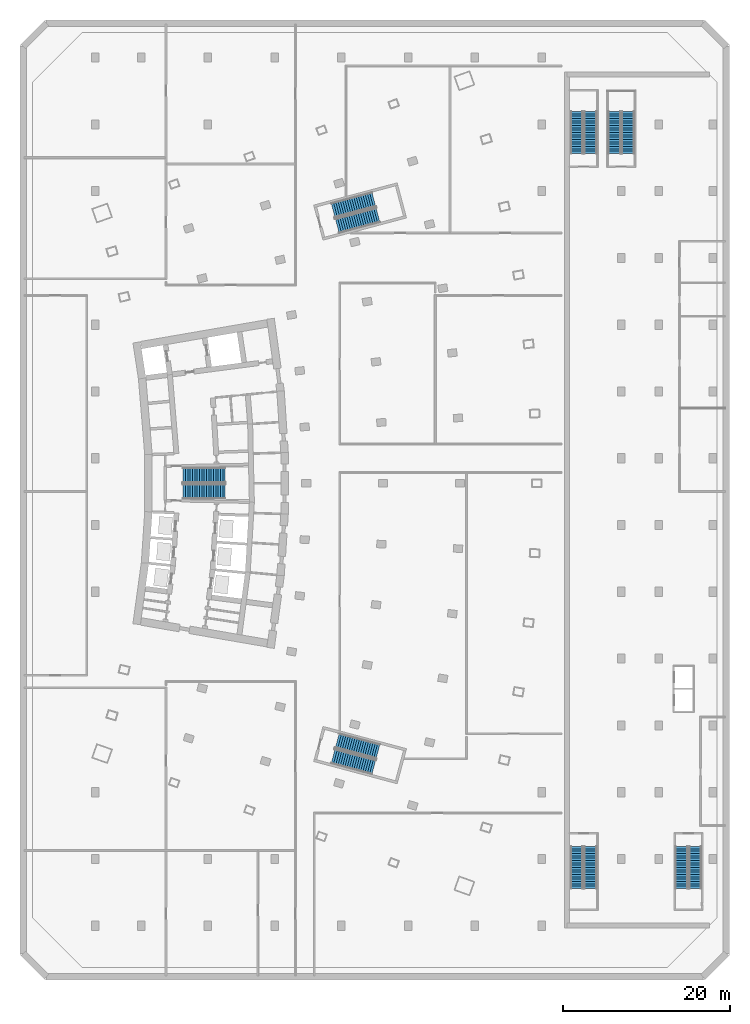
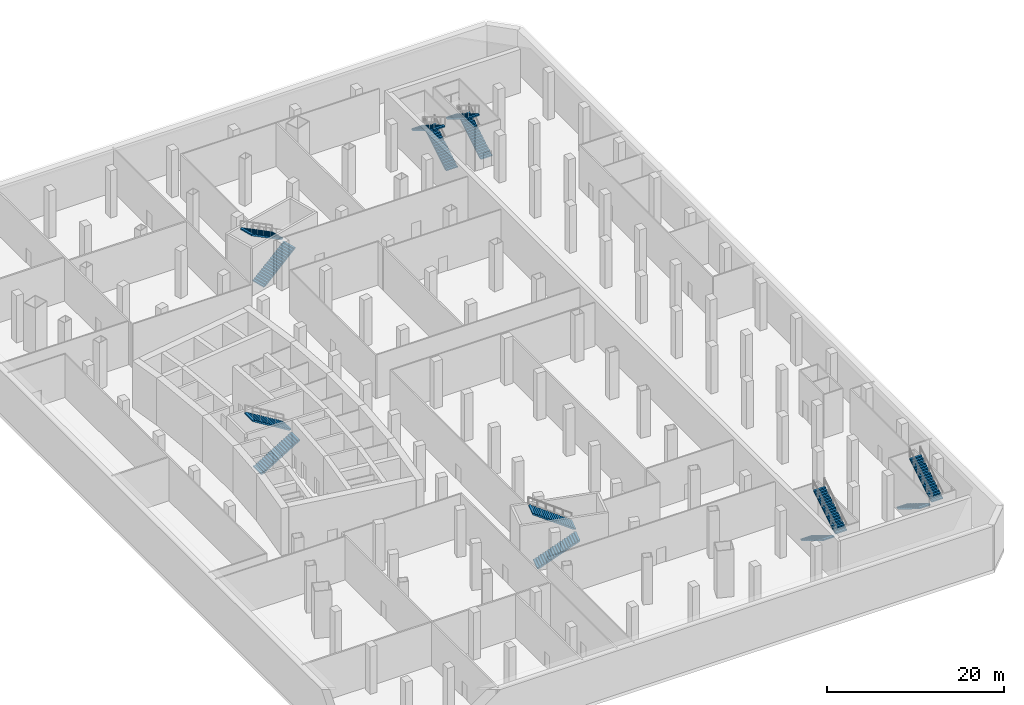
# One storey, part 11 of 16: 14 stair flights, 7 elements without a shape of their own.
"""IFC4 building model written with IfcOpenShell, lengths in metres."""

import ifcopenshell
import ifcopenshell.guid

model = None  # the IFC model being written
_history = None  # IfcOwnerHistory: only IFC2X3 demands one
_inside = {}  # id of a spatial element -> (the spatial element, [elements in it])
_under = {}  # id of a project, library or spatial element -> (it, [spatial elements below it])
_declared = {}  # id of a project -> (the project, [libraries it declares])
_typed = {}  # id of a type object -> (the type object, [elements of that type])
_made_of = {}  # id of a material, layer set ... -> (it, [elements and type objects made of it])


def new_model(schema):
    """Start an empty IFC model of exactly this schema.

    Asked for "IFC4X3", IfcOpenShell would pick the latest addendum, in which some entities
    have other attributes; the version numbers below select the first issue.
    IFC2X3 requires an IfcOwnerHistory on every rooted entity: one is made here for all.
    """
    global model, _history
    if schema == "IFC4X3":
        model = ifcopenshell.file(schema_version=(4, 3, 0, 0))
    else:
        model = ifcopenshell.file(schema=schema)
    _inside.clear()
    _under.clear()
    _declared.clear()
    _typed.clear()
    _made_of.clear()
    _history = None
    if model.schema == "IFC2X3":
        org = make("IfcOrganization", Name="unknown")
        user = make(
            "IfcPersonAndOrganization",
            ThePerson=make("IfcPerson", FamilyName="unknown"),
            TheOrganization=org,
        )
        app = make(
            "IfcApplication",
            ApplicationDeveloper=org,
            Version="unknown",
            ApplicationFullName="unknown",
            ApplicationIdentifier="unknown",
        )
        _history = make(
            "IfcOwnerHistory",
            OwningUser=user,
            OwningApplication=app,
            ChangeAction="ADDED",
            CreationDate=0,
        )
    return model


def make(cls, **values):
    """One entity of the class cls with the attributes given. An attribute that is None is left unset."""
    return model.create_entity(
        cls, **{name: value for name, value in values.items() if value is not None}
    )


def rooted(cls, **values):
    """An entity with a GlobalId (a new one), such as an element, a storey or a relation."""
    return make(cls, GlobalId=ifcopenshell.guid.new(), OwnerHistory=_history, **values)


def si_unit(unit_type, name, prefix=None):
    """IfcSIUnit, for example si_unit("LENGTHUNIT", "METRE", prefix="MILLI")."""
    return make("IfcSIUnit", UnitType=unit_type, Prefix=prefix, Name=name)


def assignment(units):
    """IfcUnitAssignment: the units of a project."""
    return None if units is None else make("IfcUnitAssignment", Units=units)


def point(xyz):
    """IfcCartesianPoint."""
    return None if xyz is None else make("IfcCartesianPoint", Coordinates=xyz)


def direction(xyz):
    """IfcDirection."""
    return None if xyz is None else make("IfcDirection", DirectionRatios=xyz)


def frame(location, z_axis=None, x_axis=None):
    """IfcAxis2Placement3D, a coordinate frame: its origin and axes. An axis left out is left unset."""
    return make(
        "IfcAxis2Placement3D",
        Location=point(location),
        Axis=direction(z_axis),
        RefDirection=direction(x_axis),
    )


def origin():
    """The frame at (0, 0, 0) with its axes left unset."""
    return frame((0.0, 0.0, 0.0))


def place(relative_to, where):
    """IfcLocalPlacement: puts the frame where relative to a parent placement (None: the world)."""
    return make(
        "IfcLocalPlacement", PlacementRelTo=relative_to, RelativePlacement=where
    )


def context(
    kind, dimensions, precision=None, world=None, true_north=None, identifier=None
):
    """IfcGeometricRepresentationContext, for example the 3D "Model" context."""
    return make(
        "IfcGeometricRepresentationContext",
        ContextIdentifier=identifier,
        ContextType=kind,
        CoordinateSpaceDimension=dimensions,
        Precision=precision,
        WorldCoordinateSystem=world,
        TrueNorth=true_north,
    )


def subcontext(parent, identifier, kind, view, scale=None):
    """IfcGeometricRepresentationSubContext, for example "Body" below "Model"."""
    return make(
        "IfcGeometricRepresentationSubContext",
        ContextIdentifier=identifier,
        ContextType=kind,
        ParentContext=parent,
        TargetScale=scale,
        TargetView=view,
    )


def project(units=None, contexts=None):
    """IfcProject with its units and contexts."""
    return rooted(
        "IfcProject",
        Name="project",
        RepresentationContexts=contexts,
        UnitsInContext=assignment(units),
    )


def spatial(cls, under=None, at=None, **own):
    """A site, building, storey or space (cls), placed at a placement, below another one or the project."""
    s = rooted(cls, ObjectPlacement=at, **own)
    if under is not None:
        _under.setdefault(under.id(), (under, []))[1].append(s)
    return s


def polyline(points):
    """IfcPolyline through the points."""
    return make("IfcPolyline", Points=[point(p) for p in points])


def outline(outer, holes=None, kind="AREA"):
    """IfcArbitraryClosedProfileDef: a profile drawn as a closed curve; with holes, ...WithVoids."""
    if holes is None:
        return make("IfcArbitraryClosedProfileDef", ProfileType=kind, OuterCurve=outer)
    return make(
        "IfcArbitraryProfileDefWithVoids",
        ProfileType=kind,
        OuterCurve=outer,
        InnerCurves=holes,
    )


def extrude(swept, where, along, depth):
    """IfcExtrudedAreaSolid: the profile swept, set in the frame where, extruded along a direction by depth."""
    return make(
        "IfcExtrudedAreaSolid",
        SweptArea=swept,
        Position=where,
        ExtrudedDirection=direction(along),
        Depth=depth,
    )


def shape(context_of_items, identifier, shape_type, items):
    """IfcShapeRepresentation: the items that make up one representation, for example the "Body"."""
    return make(
        "IfcShapeRepresentation",
        ContextOfItems=context_of_items,
        RepresentationIdentifier=identifier,
        RepresentationType=shape_type,
        Items=items,
    )


def material(Name=None, Category=None):
    """IfcMaterial."""
    return make("IfcMaterial", Name=Name, Category=Category)


def layer(
    of_material, thickness, ventilated=None, Name=None, Category=None, Priority=None
):
    """IfcMaterialLayer: one layer of a wall or slab, of a material (None: an air gap)."""
    return make(
        "IfcMaterialLayer",
        Material=of_material,
        LayerThickness=thickness,
        IsVentilated=ventilated,
        Name=Name,
        Category=Category,
        Priority=Priority,
    )


def layer_set(layers, Name=None):
    """IfcMaterialLayerSet."""
    return make("IfcMaterialLayerSet", MaterialLayers=layers, LayerSetName=Name)


def made_of(thing, what):
    """Note that an element or type object is made of a material, layer set ...; save() writes the relation."""
    if what is not None:
        _made_of.setdefault(what.id(), (what, []))[1].append(thing)
    return thing


def type_object(cls, material=None, **own):
    """A type object (cls), such as IfcWallType, which elements share."""
    return made_of(rooted(cls, **own), material)


def element(
    cls,
    number,
    at=None,
    inside=None,
    cuts=None,
    type_object=None,
    material=None,
    context=None,
    identifier="Body",
    shape_type=None,
    held_by="IfcProductDefinitionShape",
    body=None,
    shapes=None,
    **own,
):
    """One element of the class cls, such as IfcWall. Its Tag is "e" and its number.

    at: its placement. inside: the storey or other place that contains it. cuts: it is an
    opening in that element (IfcRelVoidsElement). A single representation is given by context,
    identifier, shape_type and body (its items); several are given by shapes. held_by: the class
    of the entity that holds the representations. save() writes the other relations.
    """
    e = rooted(cls, Tag="e%d" % number, ObjectPlacement=at, **own)
    if body is not None:
        shapes = [shape(context, identifier, shape_type, body)]
    if shapes is not None:
        e.Representation = make(held_by, Representations=shapes)
    if inside is not None:
        _inside.setdefault(inside.id(), (inside, []))[1].append(e)
    if cuts is not None:
        rooted(
            "IfcRelVoidsElement", RelatingBuildingElement=cuts, RelatedOpeningElement=e
        )
    if type_object is not None:
        _typed.setdefault(type_object.id(), (type_object, []))[1].append(e)
    return made_of(e, material)


def aggregate(whole, parts):
    """IfcRelAggregates: a whole, such as a stair, and the parts it consists of."""
    return rooted("IfcRelAggregates", RelatingObject=whole, RelatedObjects=parts)


def save(model, path):
    """Write the relations noted so far, then the file.

    IfcRelAggregates (storeys below a building ...), IfcRelContainedInSpatialStructure (elements
    in a storey), IfcRelDefinesByType, IfcRelAssociatesMaterial and IfcRelDeclares: one each for
    every whole, place, type object, material and project.
    """
    for whole, parts in _under.values():
        aggregate(whole, parts)
    for where, things in _inside.values():
        rooted(
            "IfcRelContainedInSpatialStructure",
            RelatedElements=things,
            RelatingStructure=where,
        )
    for kind, things in _typed.values():
        rooted("IfcRelDefinesByType", RelatedObjects=things, RelatingType=kind)
    for what, things in _made_of.values():
        rooted("IfcRelAssociatesMaterial", RelatedObjects=things, RelatingMaterial=what)
    for by, libraries in _declared.values():
        rooted("IfcRelDeclares", RelatingContext=by, RelatedDefinitions=libraries)
    model.write(path)


model = new_model("IFC4")

# Units and contexts
model_context = context("Model", 3, precision=1e-05, world=origin(), true_north=direction((0.0, 1.0)))
body_context = subcontext(model_context, "Body", "Model", "MODEL_VIEW")
ifc_project = project(units=[si_unit("LENGTHUNIT", "METRE"), si_unit("AREAUNIT", "SQUARE_METRE"), si_unit("VOLUMEUNIT", "CUBIC_METRE"), si_unit("PLANEANGLEUNIT", "RADIAN"), si_unit("MASSUNIT", "GRAM", prefix="KILO")], contexts=[model_context])

# Site, building, storey
site_placement = place(None, origin())
site = spatial("IfcSite", under=ifc_project, at=site_placement, CompositionType="ELEMENT")
building_placement = place(site_placement, origin())
building = spatial("IfcBuilding", under=site, at=building_placement, Name="Alderwake Tower", CompositionType="ELEMENT")
storey_placement = place(building_placement, frame((0.0, 0.0, -6.5)))
storey = spatial("IfcBuildingStorey", under=building, at=storey_placement, Name="B1", CompositionType="ELEMENT", Elevation=-6.5)

# Stair, stair flights
ifc_material_1 = material(Name="Concrete C40/50", Category="concrete")
stair_type_1 = type_object("IfcStairType", Name="Core exit stair", PredefinedType="HALF_TURN_STAIR", material=ifc_material_1)
stair_1_placement = place(storey_placement, origin())
stair_1 = element("IfcStair", 1, at=stair_1_placement, inside=storey, type_object=stair_type_1, Name="B1 Exit Stair B", PredefinedType="HALF_TURN_STAIR")
ifc_material_2 = material(Name="Concrete C40/50", Category="concrete")
ifc_layer = layer(ifc_material_2, 0.14990234375)
ifc_layer_set = layer_set([ifc_layer], Name="Core stair flight")
stair_flight_type = type_object("IfcStairFlightType", Name="Core stair flight", PredefinedType="STRAIGHT", material=ifc_layer_set)
stair_flight_1_placement = place(storey_placement, frame((21.0400390625, 60.02490234375, 0.0), z_axis=(0.0, 0.0, 1.0), x_axis=(1.0, 0.0, 0.0)))
stair_flight_1 = element("IfcStairFlight", 2, at=stair_flight_1_placement, type_object=stair_flight_type, Name="ST-B flight 1", NumberOfRisers=19, NumberOfTreads=18, PredefinedType="STRAIGHT", RiserHeight=0.171052632, TreadLength=0.28, context=body_context, shape_type="SweptSolid", body=[
    extrude(outline(polyline([(0.0, 0.0), (0.0, 0.171142578125), (0.280029296875, 0.171142578125), (0.280029296875, 0.342041015625), (0.56005859375, 0.342041015625), (0.56005859375, 0.51318359375), (0.840087890625, 0.51318359375), (0.840087890625, 0.684326171875), (1.1201171875, 0.684326171875), (1.1201171875, 0.855224609375), (1.39990234375, 0.855224609375), (1.39990234375, 1.0263671875), (1.679931640625, 1.0263671875), (1.679931640625, 1.197265625), (1.9599609375, 1.197265625), (1.9599609375, 1.368408203125), (2.239990234375, 1.368408203125), (2.239990234375, 1.53955078125), (2.52001953125, 1.53955078125), (2.52001953125, 1.71044921875), (2.800048828125, 1.71044921875), (2.800048828125, 1.881591796875), (3.080078125, 1.881591796875), (3.080078125, 2.052734375), (3.360107421875, 2.052734375), (3.360107421875, 2.2236328125), (3.639892578125, 2.2236328125), (3.639892578125, 2.394775390625), (3.919921875, 2.394775390625), (3.919921875, 2.565673828125), (4.199951171875, 2.565673828125), (4.199951171875, 2.73681640625), (4.47998046875, 2.73681640625), (4.47998046875, 2.907958984375), (4.760009765625, 2.907958984375), (4.760009765625, 3.078857421875), (5.0400390625, 3.078857421875), (5.0400390625, 3.25), (5.0400390625, 2.9033203125), (0.28759765625, 0.0), (0.0, 0.0)])), frame((0.0, 0.89990234375, 0.0), z_axis=(0.0, -1.0, 0.0), x_axis=(1.0, 0.0, 0.0)), (0.0, 0.0, 1.0), 1.800048828125),
])
stair_flight_2_placement = place(storey_placement, frame((26.080078125, 61.97509765625, 3.25), z_axis=(0.0, 0.0, 1.0), x_axis=(-1.0, 0.0, 0.0)))
stair_flight_2 = element("IfcStairFlight", 3, at=stair_flight_2_placement, type_object=stair_flight_type, Name="ST-B flight 2", NumberOfRisers=19, NumberOfTreads=18, PredefinedType="STRAIGHT", RiserHeight=0.171052632, TreadLength=0.28, context=body_context, shape_type="SweptSolid", body=[
    extrude(outline(polyline([(0.0, 0.0), (0.0, 0.171142578125), (0.280029296875, 0.171142578125), (0.280029296875, 0.342041015625), (0.56005859375, 0.342041015625), (0.56005859375, 0.51318359375), (0.840087890625, 0.51318359375), (0.840087890625, 0.684326171875), (1.1201171875, 0.684326171875), (1.1201171875, 0.855224609375), (1.39990234375, 0.855224609375), (1.39990234375, 1.0263671875), (1.679931640625, 1.0263671875), (1.679931640625, 1.197265625), (1.9599609375, 1.197265625), (1.9599609375, 1.368408203125), (2.239990234375, 1.368408203125), (2.239990234375, 1.53955078125), (2.52001953125, 1.53955078125), (2.52001953125, 1.71044921875), (2.800048828125, 1.71044921875), (2.800048828125, 1.881591796875), (3.080078125, 1.881591796875), (3.080078125, 2.052734375), (3.360107421875, 2.052734375), (3.360107421875, 2.2236328125), (3.639892578125, 2.2236328125), (3.639892578125, 2.394775390625), (3.919921875, 2.394775390625), (3.919921875, 2.565673828125), (4.199951171875, 2.565673828125), (4.199951171875, 2.73681640625), (4.47998046875, 2.73681640625), (4.47998046875, 2.907958984375), (4.760009765625, 2.907958984375), (4.760009765625, 3.078857421875), (5.0400390625, 3.078857421875), (5.0400390625, 3.25), (5.0400390625, 2.9033203125), (0.28759765625, 0.0), (0.0, 0.0)])), frame((0.0, 0.89990234375, 0.0), z_axis=(0.0, -1.0, 0.0), x_axis=(1.0, 0.0, 0.0)), (0.0, 0.0, 1.0), 1.800048828125),
])
aggregate(stair_1, [stair_flight_1, stair_flight_2])

stair_2_placement = place(storey_placement, origin())
stair_2 = element("IfcStair", 4, at=stair_2_placement, inside=storey, type_object=stair_type_1, Name="B1 Exit Stair A", PredefinedType="HALF_TURN_STAIR")
stair_flight_3_placement = place(storey_placement, frame((39.512939453125, 91.823974609375, 0.0), z_axis=(0.0, 0.0, 1.0), x_axis=(0.966309627437, 0.257382407951, 0.0)))
stair_flight_3 = element("IfcStairFlight", 5, at=stair_flight_3_placement, type_object=stair_flight_type, Name="ST-A flight 1", NumberOfRisers=19, NumberOfTreads=18, PredefinedType="STRAIGHT", RiserHeight=0.171052632, TreadLength=0.28, context=body_context, shape_type="SweptSolid", body=[
    extrude(outline(polyline([(0.0, 0.0), (0.0, 0.171142578125), (0.280029296875, 0.171142578125), (0.280029296875, 0.342041015625), (0.56005859375, 0.342041015625), (0.56005859375, 0.51318359375), (0.840087890625, 0.51318359375), (0.840087890625, 0.684326171875), (1.1201171875, 0.684326171875), (1.1201171875, 0.855224609375), (1.39990234375, 0.855224609375), (1.39990234375, 1.0263671875), (1.679931640625, 1.0263671875), (1.679931640625, 1.197265625), (1.9599609375, 1.197265625), (1.9599609375, 1.368408203125), (2.239990234375, 1.368408203125), (2.239990234375, 1.53955078125), (2.52001953125, 1.53955078125), (2.52001953125, 1.71044921875), (2.800048828125, 1.71044921875), (2.800048828125, 1.881591796875), (3.080078125, 1.881591796875), (3.080078125, 2.052734375), (3.360107421875, 2.052734375), (3.360107421875, 2.2236328125), (3.639892578125, 2.2236328125), (3.639892578125, 2.394775390625), (3.919921875, 2.394775390625), (3.919921875, 2.565673828125), (4.199951171875, 2.565673828125), (4.199951171875, 2.73681640625), (4.47998046875, 2.73681640625), (4.47998046875, 2.907958984375), (4.760009765625, 2.907958984375), (4.760009765625, 3.078857421875), (5.0400390625, 3.078857421875), (5.0400390625, 3.25), (5.0400390625, 2.9033203125), (0.28759765625, 0.0), (0.0, 0.0)])), frame((0.0, 0.89990234375, 0.0), z_axis=(0.0, -1.0, 0.0), x_axis=(1.0, 0.0, 0.0)), (0.0, 0.0, 1.0), 1.800048828125),
])
stair_flight_4_placement = place(storey_placement, frame((43.881103515625, 95.00537109375, 3.25), z_axis=(0.0, 0.0, 1.0), x_axis=(-0.966309627437, -0.257382407951, 0.0)))
stair_flight_4 = element("IfcStairFlight", 6, at=stair_flight_4_placement, type_object=stair_flight_type, Name="ST-A flight 2", NumberOfRisers=19, NumberOfTreads=18, PredefinedType="STRAIGHT", RiserHeight=0.171052632, TreadLength=0.28, context=body_context, shape_type="SweptSolid", body=[
    extrude(outline(polyline([(0.0, 0.0), (0.0, 0.171142578125), (0.280029296875, 0.171142578125), (0.280029296875, 0.342041015625), (0.56005859375, 0.342041015625), (0.56005859375, 0.51318359375), (0.840087890625, 0.51318359375), (0.840087890625, 0.684326171875), (1.1201171875, 0.684326171875), (1.1201171875, 0.855224609375), (1.39990234375, 0.855224609375), (1.39990234375, 1.0263671875), (1.679931640625, 1.0263671875), (1.679931640625, 1.197265625), (1.9599609375, 1.197265625), (1.9599609375, 1.368408203125), (2.239990234375, 1.368408203125), (2.239990234375, 1.53955078125), (2.52001953125, 1.53955078125), (2.52001953125, 1.71044921875), (2.800048828125, 1.71044921875), (2.800048828125, 1.881591796875), (3.080078125, 1.881591796875), (3.080078125, 2.052734375), (3.360107421875, 2.052734375), (3.360107421875, 2.2236328125), (3.639892578125, 2.2236328125), (3.639892578125, 2.394775390625), (3.919921875, 2.394775390625), (3.919921875, 2.565673828125), (4.199951171875, 2.565673828125), (4.199951171875, 2.73681640625), (4.47998046875, 2.73681640625), (4.47998046875, 2.907958984375), (4.760009765625, 2.907958984375), (4.760009765625, 3.078857421875), (5.0400390625, 3.078857421875), (5.0400390625, 3.25), (5.0400390625, 2.9033203125), (0.28759765625, 0.0), (0.0, 0.0)])), frame((0.0, 0.89990234375, 0.0), z_axis=(0.0, -1.0, 0.0), x_axis=(1.0, 0.0, 0.0)), (0.0, 0.0, 1.0), 1.800048828125),
])
aggregate(stair_2, [stair_flight_3, stair_flight_4])

stair_3_placement = place(storey_placement, origin())
stair_3 = element("IfcStair", 7, at=stair_3_placement, inside=storey, type_object=stair_type_1, Name="B1 Exit Stair C", PredefinedType="HALF_TURN_STAIR")
stair_flight_5_placement = place(storey_placement, frame((39.010986328125, 28.291748046875, 0.0), z_axis=(0.0, 0.0, 1.0), x_axis=(0.966309627437, -0.257382407951, 0.0)))
stair_flight_5 = element("IfcStairFlight", 8, at=stair_flight_5_placement, type_object=stair_flight_type, Name="ST-C flight 1", NumberOfRisers=19, NumberOfTreads=18, PredefinedType="STRAIGHT", RiserHeight=0.171052632, TreadLength=0.28, context=body_context, shape_type="SweptSolid", body=[
    extrude(outline(polyline([(0.0, 0.0), (0.0, 0.171142578125), (0.280029296875, 0.171142578125), (0.280029296875, 0.342041015625), (0.56005859375, 0.342041015625), (0.56005859375, 0.51318359375), (0.840087890625, 0.51318359375), (0.840087890625, 0.684326171875), (1.1201171875, 0.684326171875), (1.1201171875, 0.855224609375), (1.39990234375, 0.855224609375), (1.39990234375, 1.0263671875), (1.679931640625, 1.0263671875), (1.679931640625, 1.197265625), (1.9599609375, 1.197265625), (1.9599609375, 1.368408203125), (2.239990234375, 1.368408203125), (2.239990234375, 1.53955078125), (2.52001953125, 1.53955078125), (2.52001953125, 1.71044921875), (2.800048828125, 1.71044921875), (2.800048828125, 1.881591796875), (3.080078125, 1.881591796875), (3.080078125, 2.052734375), (3.360107421875, 2.052734375), (3.360107421875, 2.2236328125), (3.639892578125, 2.2236328125), (3.639892578125, 2.394775390625), (3.919921875, 2.394775390625), (3.919921875, 2.565673828125), (4.199951171875, 2.565673828125), (4.199951171875, 2.73681640625), (4.47998046875, 2.73681640625), (4.47998046875, 2.907958984375), (4.760009765625, 2.907958984375), (4.760009765625, 3.078857421875), (5.0400390625, 3.078857421875), (5.0400390625, 3.25), (5.0400390625, 2.9033203125), (0.28759765625, 0.0), (0.0, 0.0)])), frame((0.0, 0.89990234375, 0.0), z_axis=(0.0, -1.0, 0.0), x_axis=(1.0, 0.0, 0.0)), (0.0, 0.0, 1.0), 1.800048828125),
])
stair_flight_6_placement = place(storey_placement, frame((44.383056640625, 28.87890625, 3.25), z_axis=(0.0, 0.0, 1.0), x_axis=(-0.966309627437, 0.257382407951, 0.0)))
stair_flight_6 = element("IfcStairFlight", 9, at=stair_flight_6_placement, type_object=stair_flight_type, Name="ST-C flight 2", NumberOfRisers=19, NumberOfTreads=18, PredefinedType="STRAIGHT", RiserHeight=0.171052632, TreadLength=0.28, context=body_context, shape_type="SweptSolid", body=[
    extrude(outline(polyline([(0.0, 0.0), (0.0, 0.171142578125), (0.280029296875, 0.171142578125), (0.280029296875, 0.342041015625), (0.56005859375, 0.342041015625), (0.56005859375, 0.51318359375), (0.840087890625, 0.51318359375), (0.840087890625, 0.684326171875), (1.1201171875, 0.684326171875), (1.1201171875, 0.855224609375), (1.39990234375, 0.855224609375), (1.39990234375, 1.0263671875), (1.679931640625, 1.0263671875), (1.679931640625, 1.197265625), (1.9599609375, 1.197265625), (1.9599609375, 1.368408203125), (2.239990234375, 1.368408203125), (2.239990234375, 1.53955078125), (2.52001953125, 1.53955078125), (2.52001953125, 1.71044921875), (2.800048828125, 1.71044921875), (2.800048828125, 1.881591796875), (3.080078125, 1.881591796875), (3.080078125, 2.052734375), (3.360107421875, 2.052734375), (3.360107421875, 2.2236328125), (3.639892578125, 2.2236328125), (3.639892578125, 2.394775390625), (3.919921875, 2.394775390625), (3.919921875, 2.565673828125), (4.199951171875, 2.565673828125), (4.199951171875, 2.73681640625), (4.47998046875, 2.73681640625), (4.47998046875, 2.907958984375), (4.760009765625, 2.907958984375), (4.760009765625, 3.078857421875), (5.0400390625, 3.078857421875), (5.0400390625, 3.25), (5.0400390625, 2.9033203125), (0.28759765625, 0.0), (0.0, 0.0)])), frame((0.0, 0.89990234375, 0.0), z_axis=(0.0, -1.0, 0.0), x_axis=(1.0, 0.0, 0.0)), (0.0, 0.0, 1.0), 1.800048828125),
])
aggregate(stair_3, [stair_flight_5, stair_flight_6])

ifc_material_3 = material(Name="Concrete C40/50", Category="concrete")
stair_type_2 = type_object("IfcStairType", Name="Exit stair 1500 half-turn", PredefinedType="HALF_TURN_STAIR", material=ifc_material_3)
stair_4_placement = place(storey_placement, origin())
stair_4 = element("IfcStair", 10, at=stair_4_placement, inside=storey, type_object=stair_type_2, Name="B1 Station stair S1", PredefinedType="HALF_TURN_STAIR")
stair_flight_7_placement = place(storey_placement, frame((68.199951171875, 17.5, 0.0), z_axis=(0.0, 0.0, 1.0), x_axis=(0.0, -1.0, 0.0)))
stair_flight_7 = element("IfcStairFlight", 11, at=stair_flight_7_placement, type_object=stair_flight_type, Name="ST-S1 flight 1", NumberOfRisers=19, NumberOfTreads=18, PredefinedType="STRAIGHT", RiserHeight=0.171052632, TreadLength=0.28, context=body_context, shape_type="SweptSolid", body=[
    extrude(outline(polyline([(0.0, 0.0), (0.0, 0.171142578125), (0.280029296875, 0.171142578125), (0.280029296875, 0.342041015625), (0.56005859375, 0.342041015625), (0.56005859375, 0.51318359375), (0.840087890625, 0.51318359375), (0.840087890625, 0.684326171875), (1.1201171875, 0.684326171875), (1.1201171875, 0.855224609375), (1.39990234375, 0.855224609375), (1.39990234375, 1.0263671875), (1.679931640625, 1.0263671875), (1.679931640625, 1.197265625), (1.9599609375, 1.197265625), (1.9599609375, 1.368408203125), (2.239990234375, 1.368408203125), (2.239990234375, 1.53955078125), (2.52001953125, 1.53955078125), (2.52001953125, 1.71044921875), (2.800048828125, 1.71044921875), (2.800048828125, 1.881591796875), (3.080078125, 1.881591796875), (3.080078125, 2.052734375), (3.360107421875, 2.052734375), (3.360107421875, 2.2236328125), (3.639892578125, 2.2236328125), (3.639892578125, 2.394775390625), (3.919921875, 2.394775390625), (3.919921875, 2.565673828125), (4.199951171875, 2.565673828125), (4.199951171875, 2.73681640625), (4.47998046875, 2.73681640625), (4.47998046875, 2.907958984375), (4.760009765625, 2.907958984375), (4.760009765625, 3.078857421875), (5.0400390625, 3.078857421875), (5.0400390625, 3.25), (5.0400390625, 2.9033203125), (0.28759765625, 0.0), (0.0, 0.0)])), frame((0.0, 0.75, 0.0), z_axis=(0.0, -1.0, 0.0), x_axis=(1.0, 0.0, 0.0)), (0.0, 0.0, 1.0), 1.5),
])
stair_flight_8_placement = place(storey_placement, frame((69.85009765625, 12.4599609375, 3.25), z_axis=(0.0, 0.0, 1.0), x_axis=(0.0, 1.0, 0.0)))
stair_flight_8 = element("IfcStairFlight", 12, at=stair_flight_8_placement, type_object=stair_flight_type, Name="ST-S1 flight 2", NumberOfRisers=19, NumberOfTreads=18, PredefinedType="STRAIGHT", RiserHeight=0.171052632, TreadLength=0.28, context=body_context, shape_type="SweptSolid", body=[
    extrude(outline(polyline([(0.0, 0.0), (0.0, 0.171142578125), (0.280029296875, 0.171142578125), (0.280029296875, 0.342041015625), (0.56005859375, 0.342041015625), (0.56005859375, 0.51318359375), (0.840087890625, 0.51318359375), (0.840087890625, 0.684326171875), (1.1201171875, 0.684326171875), (1.1201171875, 0.855224609375), (1.39990234375, 0.855224609375), (1.39990234375, 1.0263671875), (1.679931640625, 1.0263671875), (1.679931640625, 1.197265625), (1.9599609375, 1.197265625), (1.9599609375, 1.368408203125), (2.239990234375, 1.368408203125), (2.239990234375, 1.53955078125), (2.52001953125, 1.53955078125), (2.52001953125, 1.71044921875), (2.800048828125, 1.71044921875), (2.800048828125, 1.881591796875), (3.080078125, 1.881591796875), (3.080078125, 2.052734375), (3.360107421875, 2.052734375), (3.360107421875, 2.2236328125), (3.639892578125, 2.2236328125), (3.639892578125, 2.394775390625), (3.919921875, 2.394775390625), (3.919921875, 2.565673828125), (4.199951171875, 2.565673828125), (4.199951171875, 2.73681640625), (4.47998046875, 2.73681640625), (4.47998046875, 2.907958984375), (4.760009765625, 2.907958984375), (4.760009765625, 3.078857421875), (5.0400390625, 3.078857421875), (5.0400390625, 3.25), (5.0400390625, 2.9033203125), (0.28759765625, 0.0), (0.0, 0.0)])), frame((0.0, 0.75, 0.0), z_axis=(0.0, -1.0, 0.0), x_axis=(1.0, 0.0, 0.0)), (0.0, 0.0, 1.0), 1.5),
])
aggregate(stair_4, [stair_flight_7, stair_flight_8])

stair_5_placement = place(storey_placement, origin())
stair_5 = element("IfcStair", 13, at=stair_5_placement, inside=storey, type_object=stair_type_2, Name="B1 Station stair S2", PredefinedType="HALF_TURN_STAIR")
stair_flight_9_placement = place(storey_placement, frame((80.75, 17.5, 0.0), z_axis=(0.0, 0.0, 1.0), x_axis=(0.0, -1.0, 0.0)))
stair_flight_9 = element("IfcStairFlight", 14, at=stair_flight_9_placement, type_object=stair_flight_type, Name="ST-S2 flight 1", NumberOfRisers=19, NumberOfTreads=18, PredefinedType="STRAIGHT", RiserHeight=0.171052632, TreadLength=0.28, context=body_context, shape_type="SweptSolid", body=[
    extrude(outline(polyline([(0.0, 0.0), (0.0, 0.171142578125), (0.280029296875, 0.171142578125), (0.280029296875, 0.342041015625), (0.56005859375, 0.342041015625), (0.56005859375, 0.51318359375), (0.840087890625, 0.51318359375), (0.840087890625, 0.684326171875), (1.1201171875, 0.684326171875), (1.1201171875, 0.855224609375), (1.39990234375, 0.855224609375), (1.39990234375, 1.0263671875), (1.679931640625, 1.0263671875), (1.679931640625, 1.197265625), (1.9599609375, 1.197265625), (1.9599609375, 1.368408203125), (2.239990234375, 1.368408203125), (2.239990234375, 1.53955078125), (2.52001953125, 1.53955078125), (2.52001953125, 1.71044921875), (2.800048828125, 1.71044921875), (2.800048828125, 1.881591796875), (3.080078125, 1.881591796875), (3.080078125, 2.052734375), (3.360107421875, 2.052734375), (3.360107421875, 2.2236328125), (3.639892578125, 2.2236328125), (3.639892578125, 2.394775390625), (3.919921875, 2.394775390625), (3.919921875, 2.565673828125), (4.199951171875, 2.565673828125), (4.199951171875, 2.73681640625), (4.47998046875, 2.73681640625), (4.47998046875, 2.907958984375), (4.760009765625, 2.907958984375), (4.760009765625, 3.078857421875), (5.0400390625, 3.078857421875), (5.0400390625, 3.25), (5.0400390625, 2.9033203125), (0.28759765625, 0.0), (0.0, 0.0)])), frame((0.0, 0.75, 0.0), z_axis=(0.0, -1.0, 0.0), x_axis=(1.0, 0.0, 0.0)), (0.0, 0.0, 1.0), 1.5),
])
stair_flight_10_placement = place(storey_placement, frame((82.39990234375, 12.4599609375, 3.25), z_axis=(0.0, 0.0, 1.0), x_axis=(0.0, 1.0, 0.0)))
stair_flight_10 = element("IfcStairFlight", 15, at=stair_flight_10_placement, type_object=stair_flight_type, Name="ST-S2 flight 2", NumberOfRisers=19, NumberOfTreads=18, PredefinedType="STRAIGHT", RiserHeight=0.171052632, TreadLength=0.28, context=body_context, shape_type="SweptSolid", body=[
    extrude(outline(polyline([(0.0, 0.0), (0.0, 0.171142578125), (0.280029296875, 0.171142578125), (0.280029296875, 0.342041015625), (0.56005859375, 0.342041015625), (0.56005859375, 0.51318359375), (0.840087890625, 0.51318359375), (0.840087890625, 0.684326171875), (1.1201171875, 0.684326171875), (1.1201171875, 0.855224609375), (1.39990234375, 0.855224609375), (1.39990234375, 1.0263671875), (1.679931640625, 1.0263671875), (1.679931640625, 1.197265625), (1.9599609375, 1.197265625), (1.9599609375, 1.368408203125), (2.239990234375, 1.368408203125), (2.239990234375, 1.53955078125), (2.52001953125, 1.53955078125), (2.52001953125, 1.71044921875), (2.800048828125, 1.71044921875), (2.800048828125, 1.881591796875), (3.080078125, 1.881591796875), (3.080078125, 2.052734375), (3.360107421875, 2.052734375), (3.360107421875, 2.2236328125), (3.639892578125, 2.2236328125), (3.639892578125, 2.394775390625), (3.919921875, 2.394775390625), (3.919921875, 2.565673828125), (4.199951171875, 2.565673828125), (4.199951171875, 2.73681640625), (4.47998046875, 2.73681640625), (4.47998046875, 2.907958984375), (4.760009765625, 2.907958984375), (4.760009765625, 3.078857421875), (5.0400390625, 3.078857421875), (5.0400390625, 3.25), (5.0400390625, 2.9033203125), (0.28759765625, 0.0), (0.0, 0.0)])), frame((0.0, 0.75, 0.0), z_axis=(0.0, -1.0, 0.0), x_axis=(1.0, 0.0, 0.0)), (0.0, 0.0, 1.0), 1.5),
])
aggregate(stair_5, [stair_flight_9, stair_flight_10])

stair_6_placement = place(storey_placement, origin())
stair_6 = element("IfcStair", 16, at=stair_6_placement, inside=storey, type_object=stair_type_2, Name="B1 Station stair S3", PredefinedType="HALF_TURN_STAIR")
stair_flight_11_placement = place(storey_placement, frame((69.85009765625, 100.5, 0.0), z_axis=(0.0, 0.0, 1.0), x_axis=(0.0, 1.0, 0.0)))
stair_flight_11 = element("IfcStairFlight", 17, at=stair_flight_11_placement, type_object=stair_flight_type, Name="ST-S3 flight 1", NumberOfRisers=19, NumberOfTreads=18, PredefinedType="STRAIGHT", RiserHeight=0.171052632, TreadLength=0.28, context=body_context, shape_type="SweptSolid", body=[
    extrude(outline(polyline([(0.0, 0.0), (0.0, 0.171142578125), (0.280029296875, 0.171142578125), (0.280029296875, 0.342041015625), (0.56005859375, 0.342041015625), (0.56005859375, 0.51318359375), (0.840087890625, 0.51318359375), (0.840087890625, 0.684326171875), (1.1201171875, 0.684326171875), (1.1201171875, 0.855224609375), (1.39990234375, 0.855224609375), (1.39990234375, 1.0263671875), (1.679931640625, 1.0263671875), (1.679931640625, 1.197265625), (1.9599609375, 1.197265625), (1.9599609375, 1.368408203125), (2.239990234375, 1.368408203125), (2.239990234375, 1.53955078125), (2.52001953125, 1.53955078125), (2.52001953125, 1.71044921875), (2.800048828125, 1.71044921875), (2.800048828125, 1.881591796875), (3.080078125, 1.881591796875), (3.080078125, 2.052734375), (3.360107421875, 2.052734375), (3.360107421875, 2.2236328125), (3.639892578125, 2.2236328125), (3.639892578125, 2.394775390625), (3.919921875, 2.394775390625), (3.919921875, 2.565673828125), (4.199951171875, 2.565673828125), (4.199951171875, 2.73681640625), (4.47998046875, 2.73681640625), (4.47998046875, 2.907958984375), (4.760009765625, 2.907958984375), (4.760009765625, 3.078857421875), (5.0400390625, 3.078857421875), (5.0400390625, 3.25), (5.0400390625, 2.9033203125), (0.28759765625, 0.0), (0.0, 0.0)])), frame((0.0, 0.75, 0.0), z_axis=(0.0, -1.0, 0.0), x_axis=(1.0, 0.0, 0.0)), (0.0, 0.0, 1.0), 1.5),
])
stair_flight_12_placement = place(storey_placement, frame((68.199951171875, 105.5400390625, 3.25), z_axis=(0.0, 0.0, 1.0), x_axis=(0.0, -1.0, 0.0)))
stair_flight_12 = element("IfcStairFlight", 18, at=stair_flight_12_placement, type_object=stair_flight_type, Name="ST-S3 flight 2", NumberOfRisers=19, NumberOfTreads=18, PredefinedType="STRAIGHT", RiserHeight=0.171052632, TreadLength=0.28, context=body_context, shape_type="SweptSolid", body=[
    extrude(outline(polyline([(0.0, 0.0), (0.0, 0.171142578125), (0.280029296875, 0.171142578125), (0.280029296875, 0.342041015625), (0.56005859375, 0.342041015625), (0.56005859375, 0.51318359375), (0.840087890625, 0.51318359375), (0.840087890625, 0.684326171875), (1.1201171875, 0.684326171875), (1.1201171875, 0.855224609375), (1.39990234375, 0.855224609375), (1.39990234375, 1.0263671875), (1.679931640625, 1.0263671875), (1.679931640625, 1.197265625), (1.9599609375, 1.197265625), (1.9599609375, 1.368408203125), (2.239990234375, 1.368408203125), (2.239990234375, 1.53955078125), (2.52001953125, 1.53955078125), (2.52001953125, 1.71044921875), (2.800048828125, 1.71044921875), (2.800048828125, 1.881591796875), (3.080078125, 1.881591796875), (3.080078125, 2.052734375), (3.360107421875, 2.052734375), (3.360107421875, 2.2236328125), (3.639892578125, 2.2236328125), (3.639892578125, 2.394775390625), (3.919921875, 2.394775390625), (3.919921875, 2.565673828125), (4.199951171875, 2.565673828125), (4.199951171875, 2.73681640625), (4.47998046875, 2.73681640625), (4.47998046875, 2.907958984375), (4.760009765625, 2.907958984375), (4.760009765625, 3.078857421875), (5.0400390625, 3.078857421875), (5.0400390625, 3.25), (5.0400390625, 2.9033203125), (0.28759765625, 0.0), (0.0, 0.0)])), frame((0.0, 0.75, 0.0), z_axis=(0.0, -1.0, 0.0), x_axis=(1.0, 0.0, 0.0)), (0.0, 0.0, 1.0), 1.5),
])
aggregate(stair_6, [stair_flight_11, stair_flight_12])

stair_7_placement = place(storey_placement, origin())
stair_7 = element("IfcStair", 19, at=stair_7_placement, inside=storey, type_object=stair_type_2, Name="B1 Station stair S4", PredefinedType="HALF_TURN_STAIR")
stair_flight_13_placement = place(storey_placement, frame((74.35009765625, 100.5, 0.0), z_axis=(0.0, 0.0, 1.0), x_axis=(0.0, 1.0, 0.0)))
stair_flight_13 = element("IfcStairFlight", 20, at=stair_flight_13_placement, type_object=stair_flight_type, Name="ST-S4 flight 1", NumberOfRisers=19, NumberOfTreads=18, PredefinedType="STRAIGHT", RiserHeight=0.171052632, TreadLength=0.28, context=body_context, shape_type="SweptSolid", body=[
    extrude(outline(polyline([(0.0, 0.0), (0.0, 0.171142578125), (0.280029296875, 0.171142578125), (0.280029296875, 0.342041015625), (0.56005859375, 0.342041015625), (0.56005859375, 0.51318359375), (0.840087890625, 0.51318359375), (0.840087890625, 0.684326171875), (1.1201171875, 0.684326171875), (1.1201171875, 0.855224609375), (1.39990234375, 0.855224609375), (1.39990234375, 1.0263671875), (1.679931640625, 1.0263671875), (1.679931640625, 1.197265625), (1.9599609375, 1.197265625), (1.9599609375, 1.368408203125), (2.239990234375, 1.368408203125), (2.239990234375, 1.53955078125), (2.52001953125, 1.53955078125), (2.52001953125, 1.71044921875), (2.800048828125, 1.71044921875), (2.800048828125, 1.881591796875), (3.080078125, 1.881591796875), (3.080078125, 2.052734375), (3.360107421875, 2.052734375), (3.360107421875, 2.2236328125), (3.639892578125, 2.2236328125), (3.639892578125, 2.394775390625), (3.919921875, 2.394775390625), (3.919921875, 2.565673828125), (4.199951171875, 2.565673828125), (4.199951171875, 2.73681640625), (4.47998046875, 2.73681640625), (4.47998046875, 2.907958984375), (4.760009765625, 2.907958984375), (4.760009765625, 3.078857421875), (5.0400390625, 3.078857421875), (5.0400390625, 3.25), (5.0400390625, 2.9033203125), (0.28759765625, 0.0), (0.0, 0.0)])), frame((0.0, 0.75, 0.0), z_axis=(0.0, -1.0, 0.0), x_axis=(1.0, 0.0, 0.0)), (0.0, 0.0, 1.0), 1.5),
])
stair_flight_14_placement = place(storey_placement, frame((72.699951171875, 105.5400390625, 3.25), z_axis=(0.0, 0.0, 1.0), x_axis=(0.0, -1.0, 0.0)))
stair_flight_14 = element("IfcStairFlight", 21, at=stair_flight_14_placement, type_object=stair_flight_type, Name="ST-S4 flight 2", NumberOfRisers=19, NumberOfTreads=18, PredefinedType="STRAIGHT", RiserHeight=0.171052632, TreadLength=0.28, context=body_context, shape_type="SweptSolid", body=[
    extrude(outline(polyline([(0.0, 0.0), (0.0, 0.171142578125), (0.280029296875, 0.171142578125), (0.280029296875, 0.342041015625), (0.56005859375, 0.342041015625), (0.56005859375, 0.51318359375), (0.840087890625, 0.51318359375), (0.840087890625, 0.684326171875), (1.1201171875, 0.684326171875), (1.1201171875, 0.855224609375), (1.39990234375, 0.855224609375), (1.39990234375, 1.0263671875), (1.679931640625, 1.0263671875), (1.679931640625, 1.197265625), (1.9599609375, 1.197265625), (1.9599609375, 1.368408203125), (2.239990234375, 1.368408203125), (2.239990234375, 1.53955078125), (2.52001953125, 1.53955078125), (2.52001953125, 1.71044921875), (2.800048828125, 1.71044921875), (2.800048828125, 1.881591796875), (3.080078125, 1.881591796875), (3.080078125, 2.052734375), (3.360107421875, 2.052734375), (3.360107421875, 2.2236328125), (3.639892578125, 2.2236328125), (3.639892578125, 2.394775390625), (3.919921875, 2.394775390625), (3.919921875, 2.565673828125), (4.199951171875, 2.565673828125), (4.199951171875, 2.73681640625), (4.47998046875, 2.73681640625), (4.47998046875, 2.907958984375), (4.760009765625, 2.907958984375), (4.760009765625, 3.078857421875), (5.0400390625, 3.078857421875), (5.0400390625, 3.25), (5.0400390625, 2.9033203125), (0.28759765625, 0.0), (0.0, 0.0)])), frame((0.0, 0.75, 0.0), z_axis=(0.0, -1.0, 0.0), x_axis=(1.0, 0.0, 0.0)), (0.0, 0.0, 1.0), 1.5),
])
aggregate(stair_7, [stair_flight_13, stair_flight_14])

save(model, "model.ifc")
